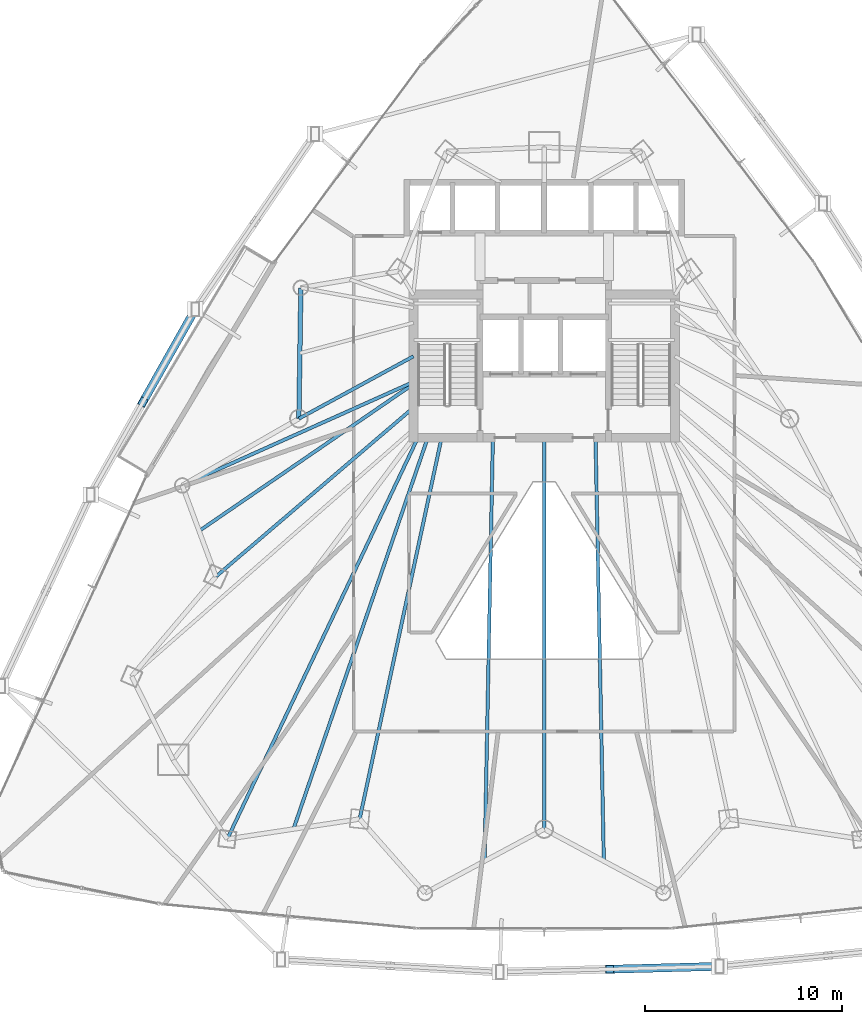
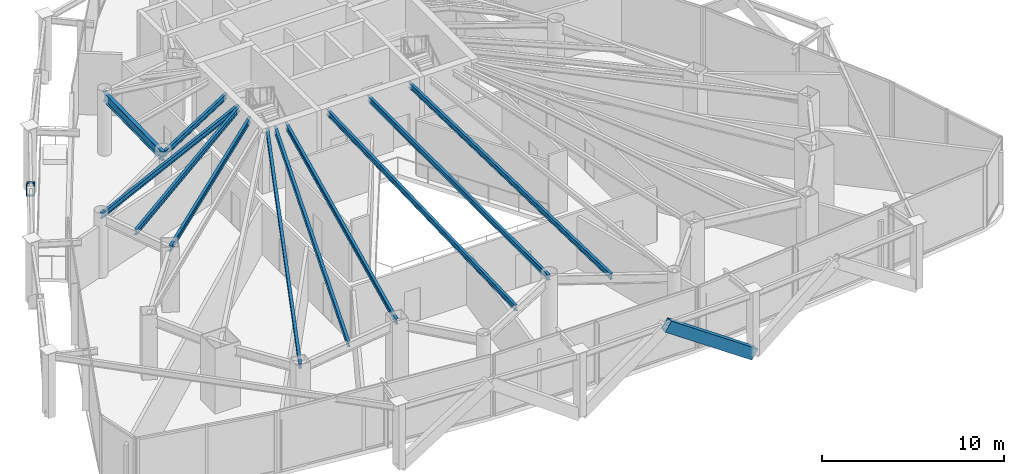
# One storey, part 11 of 33: 11 beams, 2 members.
"""IFC4 building model written with IfcOpenShell, lengths in metres."""

from ifc_helpers import new_model, si_unit, direction, frame, origin, origin_2d, place, context, subcontext, project, spatial, hollow_rectangle, i_section, extrude, material, material_profile, profile_set, type_object, element, save


model = new_model("IFC4")

# Units and contexts
model_context = context("Model", 3, precision=1e-05, world=origin(), true_north=direction((0.0, 1.0)))
body_context = subcontext(model_context, "Body", "Model", "MODEL_VIEW")
ifc_project = project(units=[si_unit("LENGTHUNIT", "METRE"), si_unit("AREAUNIT", "SQUARE_METRE"), si_unit("VOLUMEUNIT", "CUBIC_METRE"), si_unit("PLANEANGLEUNIT", "RADIAN"), si_unit("MASSUNIT", "GRAM", prefix="KILO")], contexts=[model_context])

# Site, building, storey
site_placement = place(None, origin())
site = spatial("IfcSite", under=ifc_project, at=site_placement, CompositionType="ELEMENT")
building_placement = place(site_placement, origin())
building = spatial("IfcBuilding", under=site, at=building_placement, Name="Orvanel Arch Residences", CompositionType="ELEMENT")
storey_placement = place(building_placement, frame((0.0, 0.0, 59.89990234375)))
storey = spatial("IfcBuildingStorey", under=building, at=storey_placement, Name="L16", CompositionType="ELEMENT", Elevation=59.89990234375)

# Beams
ifc_material_1 = material(Name="Structural steel AS/NZS 3679.1 Grade 300 (300 MPa)", Category="steel")
ifc_material_profile_1 = material_profile(ifc_material_1, i_section(OverallWidth=0.1708984375, OverallDepth=0.35595703125, WebThickness=0.00732421875, FlangeThickness=0.011474609375, at=origin_2d()), Name="360UB50.7")
ifc_profile_set_1 = profile_set([ifc_material_profile_1], Name="Structural steel AS/NZS 3679.1 Grade 300 (300 MPa)")
beam_type_1 = type_object("IfcBeamType", Name="BJ-360UB", PredefinedType="JOIST", material=ifc_profile_set_1)
beam_1_placement = place(storey_placement, frame((26.375, 30.800048828125, 3.93212890625), z_axis=(-0.878399029914, -0.477927969726, 0.0), x_axis=(0.477927969726, -0.878399029914, 0.0)))
element("IfcBeam", 1, at=beam_1_placement, inside=storey, type_object=beam_type_1, Name="L16 NW Wing Floor Joist", PredefinedType="JOIST", context=body_context, shape_type="SweptSolid", body=[
    extrude(i_section(OverallWidth=0.1708984375, OverallDepth=0.35595703125, WebThickness=0.00732421875, FlangeThickness=0.011474609375, at=origin_2d()), origin(), (0.0, 0.0, 1.0), 6.609619140625),
])
beam_2_placement = place(storey_placement, frame((26.375, 28.199951171875, 3.93212890625), z_axis=(-0.760024297953, -0.649894658018, 0.0), x_axis=(0.649894658018, -0.760024297953, 0.0)))
element("IfcBeam", 2, at=beam_2_placement, inside=storey, type_object=beam_type_1, Name="L16 W Wing Floor Joist", PredefinedType="JOIST", context=body_context, shape_type="SweptSolid", body=[
    extrude(i_section(OverallWidth=0.1708984375, OverallDepth=0.35595703125, WebThickness=0.00732421875, FlangeThickness=0.011474609375, at=origin_2d()), origin(), (0.0, 0.0, 1.0), 13.16796875),
])
beam_3_placement = place(storey_placement, frame((27.800048828125, 26.675048828125, 3.93212890625), z_axis=(-0.210066515515, -0.977687096703, 0.0), x_axis=(0.977687096703, -0.210066515515, 0.0)))
element("IfcBeam", 3, at=beam_3_placement, inside=storey, type_object=beam_type_1, Name="L16 SW Wing Floor Joist", PredefinedType="JOIST", context=body_context, shape_type="SweptSolid", body=[
    extrude(i_section(OverallWidth=0.1708984375, OverallDepth=0.35595703125, WebThickness=0.00732421875, FlangeThickness=0.011474609375, at=origin_2d()), origin(), (0.0, 0.0, 1.0), 19.760986328125),
])
beam_4_placement = place(storey_placement, frame((33.0, 26.675048828125, 3.93212890625), z_axis=(0.0, -1.0, 0.0), x_axis=(1.0, 0.0, 0.0)))
element("IfcBeam", 4, at=beam_4_placement, inside=storey, type_object=beam_type_1, Name="L16 SSW Wing Floor Joist", PredefinedType="JOIST", context=body_context, shape_type="SweptSolid", body=[
    extrude(i_section(OverallWidth=0.1708984375, OverallDepth=0.35595703125, WebThickness=0.00732421875, FlangeThickness=0.011474609375, at=origin_2d()), origin(), (0.0, 0.0, 1.0), 19.8310546875),
])
for number, where, z_axis, x_axis, name in (
    (5, (30.39990234375, 26.675048828125, 3.93212890625), (-0.019617680075, -0.999807554797, 0.0), (0.999807554797, -0.019617680075, 0.0), "L16 WSW2 Wing Floor Joist"),
    (6, (35.60009765625, 26.675048828125, 3.93212890625), (0.019617680075, -0.999807554797, 0.0), (0.999807554797, 0.019617680075, 0.0), "L16 ESE2 Wing Floor Joist"),
):
    element("IfcBeam", number, at=place(storey_placement, frame(where, z_axis=z_axis, x_axis=x_axis)), inside=storey, type_object=beam_type_1, Name=name, PredefinedType="JOIST", context=body_context, shape_type="SweptSolid", body=[
        extrude(i_section(OverallWidth=0.1708984375, OverallDepth=0.35595703125, WebThickness=0.00732421875, FlangeThickness=0.011474609375, at=origin_2d()), origin(), (0.0, 0.0, 1.0), 21.455078125),
    ])
beam_5_placement = place(storey_placement, frame((26.60009765625, 26.675048828125, 3.93212890625), z_axis=(-0.429042657795, -0.903284228686, 0.0), x_axis=(0.903284228686, -0.429042657795, 0.0)))
element("IfcBeam", 7, at=beam_5_placement, inside=storey, type_object=beam_type_1, Name="L16 MSW Wing Floor Joist", PredefinedType="JOIST", context=body_context, shape_type="SweptSolid", body=[
    extrude(i_section(OverallWidth=0.1708984375, OverallDepth=0.35595703125, WebThickness=0.00732421875, FlangeThickness=0.011474609375, at=origin_2d()), origin(), (0.0, 0.0, 1.0), 22.513427734375),
])
beam_6_placement = place(storey_placement, frame((26.375, 29.5, 3.93212890625), z_axis=(-0.912704378681, -0.408620505038, 0.0), x_axis=(0.408620505038, -0.912704378681, 0.0)))
element("IfcBeam", 8, at=beam_6_placement, inside=storey, type_object=beam_type_1, Name="L16 LSW Wing Floor Joist", PredefinedType="JOIST", context=body_context, shape_type="SweptSolid", body=[
    extrude(i_section(OverallWidth=0.1708984375, OverallDepth=0.35595703125, WebThickness=0.00732421875, FlangeThickness=0.011474609375, at=origin_2d()), origin(), (0.0, 0.0, 1.0), 12.833251953125),
])
beam_7_placement = place(storey_placement, frame((26.375, 29.39990234375, 3.93212890625), z_axis=(-0.824587280955, -0.565734757716, 0.0), x_axis=(0.565734757716, -0.824587280955, 0.0)))
element("IfcBeam", 9, at=beam_7_placement, inside=storey, type_object=beam_type_1, Name="L16 CTW Wing Floor Joist", PredefinedType="JOIST", context=body_context, shape_type="SweptSolid", body=[
    extrude(i_section(OverallWidth=0.1708984375, OverallDepth=0.35595703125, WebThickness=0.00732421875, FlangeThickness=0.011474609375, at=origin_2d()), origin(), (0.0, 0.0, 1.0), 13.17041015625),
])
beam_8_placement = place(storey_placement, frame((27.10009765625, 26.675048828125, 3.93212890625), z_axis=(-0.324621456495, -0.945844019901, 0.0), x_axis=(0.945844019901, -0.324621456495, 0.0)))
element("IfcBeam", 10, at=beam_8_placement, inside=storey, type_object=beam_type_1, Name="L16 JADD1 Wing Floor Joist", PredefinedType="JOIST", context=body_context, shape_type="SweptSolid", body=[
    extrude(i_section(OverallWidth=0.1708984375, OverallDepth=0.35595703125, WebThickness=0.00732421875, FlangeThickness=0.011474609375, at=origin_2d()), origin(), (0.0, 0.0, 1.0), 20.96337890625),
])

# Members
ifc_material_2 = material(Name="Structural steel AS/NZS 3678 Grade 350", Category="steel")
ifc_material_profile_2 = material_profile(ifc_material_2, hollow_rectangle(XDim=0.419921875, YDim=0.719970703125, WallThickness=0.02490234375, at=origin_2d()), Name="RHS720x420x25")
ifc_profile_set_2 = profile_set([ifc_material_profile_2], Name="Structural steel AS/NZS 3678 Grade 350")
member_type = type_object("IfcMemberType", Name="BR-720RHS-EXT", PredefinedType="BRACE", material=ifc_profile_set_2)
member_1_placement = place(storey_placement, frame((15.318115234375, 33.18310546875, 0.0), z_axis=(-0.397771032779, -0.705617596241, 0.58641454054), x_axis=(0.871120894282, -0.49106861796, 0.0)))
element("IfcMember", 11, at=member_1_placement, inside=storey, type_object=member_type, Name="L16 Exterior Sky-Garden V-Frame Chevron F1B2.1", PredefinedType="BRACE", context=body_context, shape_type="SweptSolid", body=[
    extrude(hollow_rectangle(XDim=0.419921875, YDim=0.719970703125, WallThickness=0.02490234375, at=origin_2d()), origin(), (0.0, 0.0, 1.0), 6.66259765625),
])
member_2_placement = place(storey_placement, frame((41.884033203125, -0.111083984375, 0.0), z_axis=(-0.818400475638, -0.021458476978, 0.57424750347), x_axis=(0.02621101182, -0.99965643241, 0.0)))
element("IfcMember", 12, at=member_2_placement, inside=storey, type_object=member_type, Name="L16 Exterior Sky-Garden V-Frame Chevron F2B2.2", PredefinedType="BRACE", context=body_context, shape_type="SweptSolid", body=[
    extrude(hollow_rectangle(XDim=0.419921875, YDim=0.719970703125, WallThickness=0.02490234375, at=origin_2d()), origin(), (0.0, 0.0, 1.0), 6.8037109375),
])

# Beam
ifc_material_profile_3 = material_profile(ifc_material_1, i_section(OverallWidth=0.22900390625, OverallDepth=0.612060546875, WebThickness=0.011962890625, FlangeThickness=0.01953125, at=origin_2d()), Name="610UB125")
ifc_profile_set_3 = profile_set([ifc_material_profile_3], Name="Structural steel AS/NZS 3679.1 Grade 300 (300 MPa)")
beam_type_2 = type_object("IfcBeamType", Name="SP-610UB", PredefinedType="SPANDREL", material=ifc_profile_set_3)
beam_9_placement = place(storey_placement, frame((20.669921875, 34.27099609375, 3.80419921875), z_axis=(-0.015206666874, -0.999884371956, 0.0), x_axis=(0.999884371956, -0.015206666874, 0.0)))
element("IfcBeam", 13, at=beam_9_placement, inside=storey, type_object=beam_type_2, Name="L16 Perimeter Spandrel Beam 20", PredefinedType="SPANDREL", context=body_context, shape_type="SweptSolid", body=[
    extrude(i_section(OverallWidth=0.22900390625, OverallDepth=0.612060546875, WebThickness=0.011962890625, FlangeThickness=0.01953125, at=origin_2d()), origin(), (0.0, 0.0, 1.0), 6.630615234375),
])

save(model, "model.ifc")
